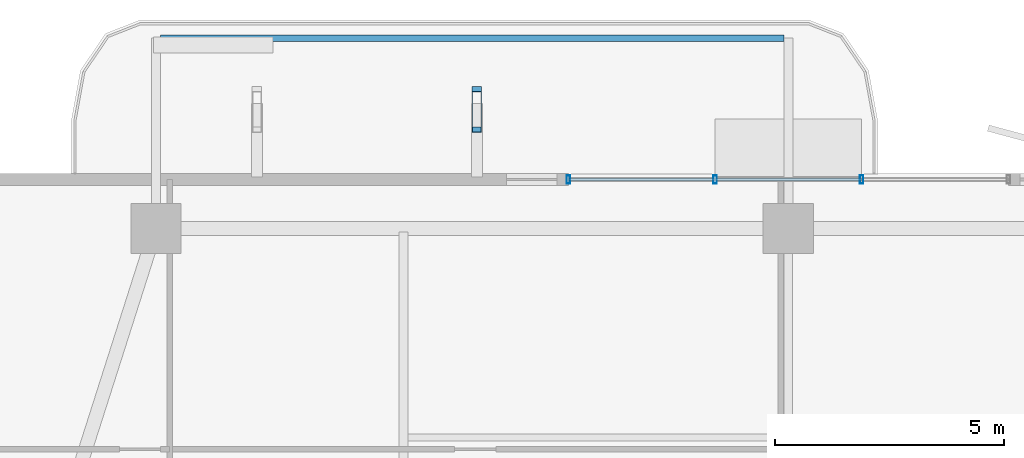
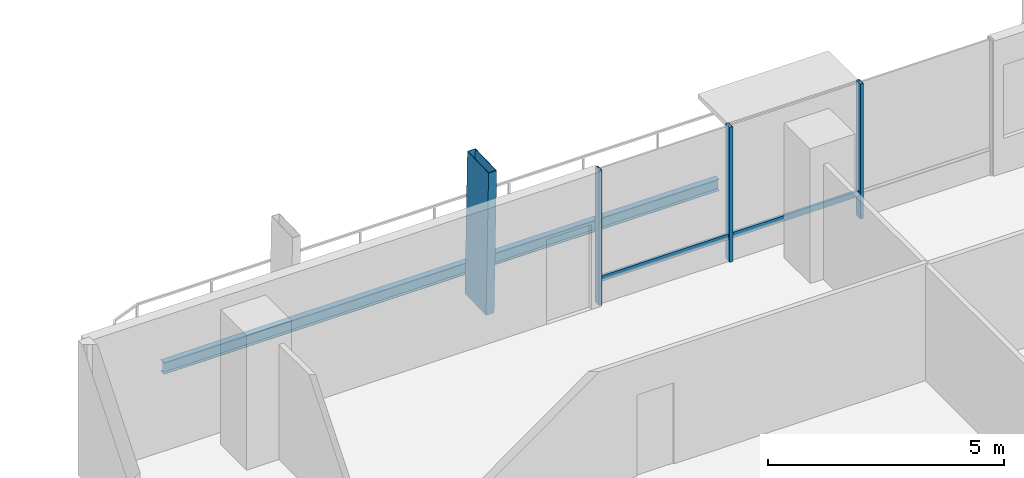
# One storey, part 13 of 25: 6 members, 1 beam, 1 element without a shape of its own.
"""IFC4 building model written with IfcOpenShell, lengths in metres."""

from ifc_helpers import new_model, si_unit, direction, frame, origin, origin_2d, place, context, subcontext, project, spatial, hollow_rectangle, i_section, extrude, material, layer, layer_set, material_profile, profile_set, type_object, element, aggregate, save


model = new_model("IFC4")

# Units and contexts
model_context = context("Model", 3, precision=1e-05, world=origin(), true_north=direction((0.0, 1.0)))
body_context = subcontext(model_context, "Body", "Model", "MODEL_VIEW")
ifc_project = project(units=[si_unit("LENGTHUNIT", "METRE"), si_unit("AREAUNIT", "SQUARE_METRE"), si_unit("VOLUMEUNIT", "CUBIC_METRE"), si_unit("PLANEANGLEUNIT", "RADIAN"), si_unit("MASSUNIT", "GRAM", prefix="KILO")], contexts=[model_context])

# Site, building, storey
site_placement = place(None, origin())
site = spatial("IfcSite", under=ifc_project, at=site_placement, CompositionType="ELEMENT")
building_placement = place(site_placement, origin())
building = spatial("IfcBuilding", under=site, at=building_placement, Name="Belovzor Exchange Tower", CompositionType="ELEMENT")
storey_placement = place(building_placement, frame((0.0, 0.0, 153.300048828125)))
storey = spatial("IfcBuildingStorey", under=building, at=storey_placement, Name="L37", CompositionType="ELEMENT", Elevation=153.300048828125)

# Beam
ifc_material_1 = material(Name="Steel S355", Category="steel")
ifc_material_profile_1 = material_profile(ifc_material_1, i_section(OverallWidth=0.14990234375, OverallDepth=0.300048828125, WebThickness=0.007080078125, FlangeThickness=0.0107421875, at=origin_2d()))
ifc_profile_set_1 = profile_set([ifc_material_profile_1], Name="Steel S355")
beam_type = type_object("IfcBeamType", Name="Planted Balcony Fascia Edge Beam IPE 300", PredefinedType="BEAM", material=ifc_profile_set_1)
beam_placement = place(storey_placement, frame((28.699951171875, 56.052978515625, -0.405029296875), z_axis=(-1.0, 0.0, 0.0), x_axis=(0.0, -1.0, 0.0)))
element("IfcBeam", 1, at=beam_placement, inside=storey, type_object=beam_type, Name="BC-300 Planted Balcony Fascia Edge Beam IPE 300", PredefinedType="BEAM", context=body_context, shape_type="SweptSolid", body=[
    extrude(i_section(OverallWidth=0.14990234375, OverallDepth=0.300048828125, WebThickness=0.007080078125, FlangeThickness=0.0107421875, at=origin_2d()), origin(), (0.0, 0.0, 1.0), 13.599853515625),
])

# Member
ifc_material_2 = material(Name="Extruded Architectural Terracotta on Steel S355 Carrier", Category="masonry")
ifc_material_profile_2 = material_profile(ifc_material_2, hollow_rectangle(XDim=0.199951171875, YDim=0.89990234375, WallThickness=0.011962890625, at=origin_2d()))
ifc_profile_set_2 = profile_set([ifc_material_profile_2], Name="Extruded Architectural Terracotta on Steel S355 Carrier")
member_type_1 = type_object("IfcMemberType", Name="Sweeping Terracotta Baguette Fin Assembly 1250", PredefinedType="USERDEFINED", material=ifc_profile_set_2)
member_1_placement = place(storey_placement, frame((22.0, 54.551025390625, -0.255126953125), z_axis=(0.0, -0.028764134908, 0.999586226667), x_axis=(1.0, 0.0, 0.0)))
element("IfcMember", 2, at=member_1_placement, inside=storey, type_object=member_type_1, Name="FIN-TC125 Terracotta Facade Fin L37 N2", ObjectType="FIN", PredefinedType="USERDEFINED", context=body_context, shape_type="SweptSolid", body=[
    extrude(hollow_rectangle(XDim=0.199951171875, YDim=0.89990234375, WallThickness=0.011962890625, at=origin_2d()), origin(), (0.0, 0.0, 1.0), 3.75146484375),
])

# Curtain wall, members
ifc_material_3 = material(Name="Anodised Aluminium Framing", Category="aluminium")
ifc_layer = layer(ifc_material_3, 0.179931640625)
ifc_layer_set = layer_set([ifc_layer], Name="Anodised Aluminium Framing")
curtain_wall_type = type_object("IfcCurtainWallType", Name="Recessed Loggia Low-Iron Triple-Glazed Curtain Wall", PredefinedType="NOTDEFINED", material=ifc_layer_set)
curtain_wall_placement = place(storey_placement, origin())
curtain_wall = element("IfcCurtainWall", 3, at=curtain_wall_placement, inside=storey, type_object=curtain_wall_type, Name="CW3 Recessed Loggia Low-Iron Triple-Glazed Curtain Wall L37", PredefinedType="NOTDEFINED")
ifc_material_4 = material(Name="Steel S355", Category="steel")
ifc_material_profile_3 = material_profile(ifc_material_4, hollow_rectangle(XDim=0.074951171875, YDim=0.179931640625, WallThickness=0.0048828125, at=origin_2d()))
ifc_profile_set_3 = profile_set([ifc_material_profile_3], Name="Steel S355")
member_type_2 = type_object("IfcMemberType", Name="Thermally Broken Curtain Wall Mullion 180x75", PredefinedType="MULLION", material=ifc_profile_set_3)
member_2_placement = place(storey_placement, frame((24.0, 52.969970703125, 0.0), z_axis=(0.0, 0.0, 1.0), x_axis=(1.0, 0.0, 0.0)))
member_2 = element("IfcMember", 4, at=member_2_placement, type_object=member_type_2, Name="CW-M180 Curtain Wall Mullion 1", PredefinedType="MULLION", context=body_context, shape_type="SweptSolid", body=[
    extrude(hollow_rectangle(XDim=0.074951171875, YDim=0.179931640625, WallThickness=0.0048828125, at=origin_2d()), origin(), (0.0, 0.0, 1.0), 3.494873046875),
])
member_3_placement = place(storey_placement, frame((27.199951171875, 52.969970703125, 0.0), z_axis=(0.0, 0.0, 1.0), x_axis=(1.0, 0.0, 0.0)))
member_3 = element("IfcMember", 5, at=member_3_placement, type_object=member_type_2, Name="CW-M180 Curtain Wall Mullion 2", PredefinedType="MULLION", context=body_context, shape_type="SweptSolid", body=[
    extrude(hollow_rectangle(XDim=0.074951171875, YDim=0.179931640625, WallThickness=0.0048828125, at=origin_2d()), origin(), (0.0, 0.0, 1.0), 3.494873046875),
])
member_4_placement = place(storey_placement, frame((30.39990234375, 52.969970703125, 0.0), z_axis=(0.0, 0.0, 1.0), x_axis=(1.0, 0.0, 0.0)))
member_4 = element("IfcMember", 6, at=member_4_placement, type_object=member_type_2, Name="CW-M180 Curtain Wall Mullion 3", PredefinedType="MULLION", context=body_context, shape_type="SweptSolid", body=[
    extrude(hollow_rectangle(XDim=0.074951171875, YDim=0.179931640625, WallThickness=0.0048828125, at=origin_2d()), origin(), (0.0, 0.0, 1.0), 3.494873046875),
])
ifc_material_5 = material(Name="Steel S355", Category="steel")
ifc_material_profile_4 = material_profile(ifc_material_5, hollow_rectangle(XDim=0.06005859375, YDim=0.14990234375, WallThickness=0.00390625, at=origin_2d()))
ifc_profile_set_4 = profile_set([ifc_material_profile_4], Name="Steel S355")
member_type_3 = type_object("IfcMemberType", Name="Thermally Broken Curtain Wall Transom 150x60", PredefinedType="USERDEFINED", material=ifc_profile_set_4)
member_5_placement = place(storey_placement, frame((24.008056640625, 52.969970703125, 0.62890625), z_axis=(1.0, 0.0, 0.0), x_axis=(0.0, 1.0, 0.0)))
member_5 = element("IfcMember", 7, at=member_5_placement, type_object=member_type_3, Name="CW-T150 Curtain Wall Transom 1", ObjectType="TRANSOM", PredefinedType="USERDEFINED", context=body_context, shape_type="SweptSolid", body=[
    extrude(hollow_rectangle(XDim=0.06005859375, YDim=0.14990234375, WallThickness=0.00390625, at=origin_2d()), origin(), (0.0, 0.0, 1.0), 3.183837890625),
])
member_6_placement = place(storey_placement, frame((27.2080078125, 52.969970703125, 0.62890625), z_axis=(1.0, 0.0, 0.0), x_axis=(0.0, 1.0, 0.0)))
member_6 = element("IfcMember", 8, at=member_6_placement, type_object=member_type_3, Name="CW-T150 Curtain Wall Transom 2", ObjectType="TRANSOM", PredefinedType="USERDEFINED", context=body_context, shape_type="SweptSolid", body=[
    extrude(hollow_rectangle(XDim=0.06005859375, YDim=0.14990234375, WallThickness=0.00390625, at=origin_2d()), origin(), (0.0, 0.0, 1.0), 3.18408203125),
])
aggregate(curtain_wall, [member_2, member_3, member_4, member_5, member_6])

save(model, "model.ifc")
